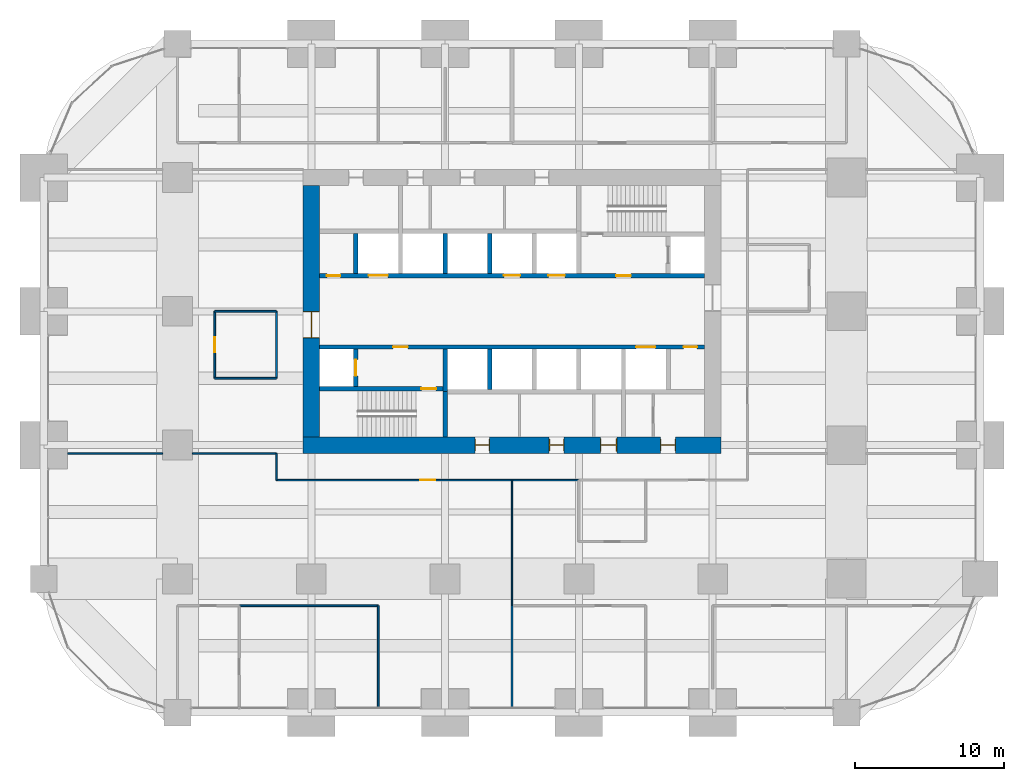
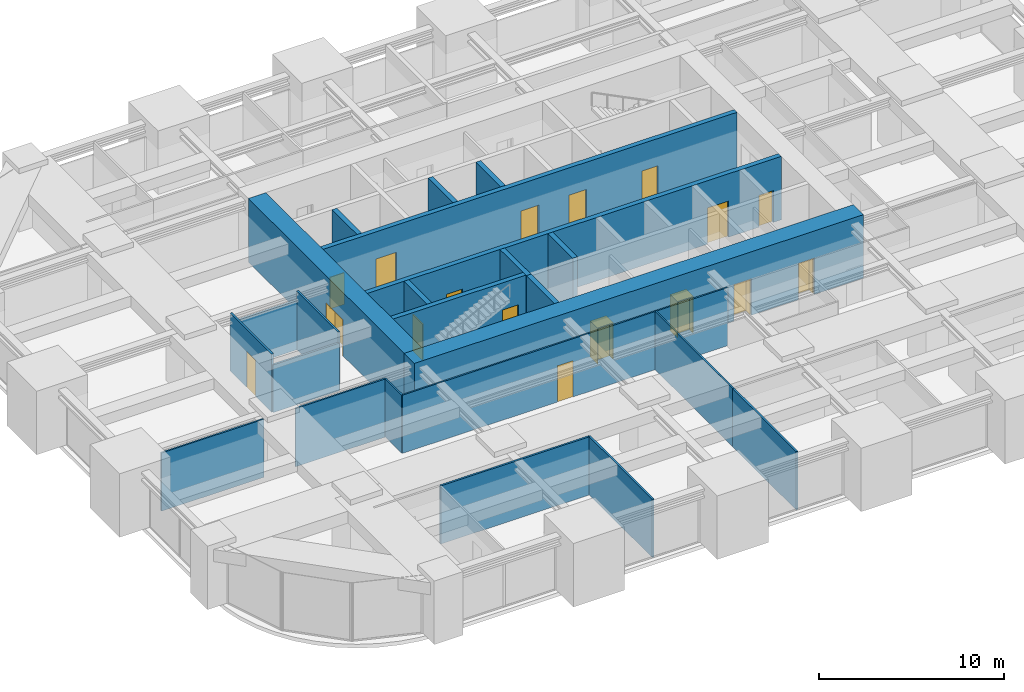
# One storey, part 42 of 45: 24 walls, 17 doors, 17 openings.
"""IFC4 building model written with IfcOpenShell, lengths in metres."""

from ifc_helpers import new_model, si_unit, direction, frame, frame_2d, origin, place, context, subcontext, project, spatial, rectangle, extrude, material, layer, layer_set, type_object, element, fill, save


model = new_model("IFC4")

# Units and contexts
model_context = context("Model", 3, precision=1e-05, world=origin(), true_north=direction((0.0, 1.0)))
body_context = subcontext(model_context, "Body", "Model", "MODEL_VIEW")
ifc_project = project(units=[si_unit("LENGTHUNIT", "METRE"), si_unit("AREAUNIT", "SQUARE_METRE"), si_unit("VOLUMEUNIT", "CUBIC_METRE"), si_unit("PLANEANGLEUNIT", "RADIAN"), si_unit("MASSUNIT", "GRAM", prefix="KILO")], contexts=[model_context])

# Site, building, storey
site_placement = place(None, origin())
site = spatial("IfcSite", under=ifc_project, at=site_placement, CompositionType="ELEMENT")
building_placement = place(site_placement, origin())
building = spatial("IfcBuilding", under=site, at=building_placement, Name="Zorevar Civic Tower", CompositionType="ELEMENT")
storey_placement = place(building_placement, frame((0.0, 0.0, 153.0)))
storey = spatial("IfcBuildingStorey", under=building, at=storey_placement, Name="L37", CompositionType="ELEMENT", Elevation=153.0)

# Wall, openings, doors
ifc_material_1 = material(Name="Concrete C50/60", Category="concrete")
ifc_layer_1 = layer(ifc_material_1, 1.10009765625)
ifc_layer_set_1 = layer_set([ifc_layer_1], Name="Core wall 1100")
wall_type_1 = type_object("IfcWallType", Name="Core wall 1100", PredefinedType="SHEAR", material=ifc_layer_set_1)
wall_1_placement = place(storey_placement, frame((17.449951171875, 18.0, 0.0), z_axis=(0.0, 0.0, 1.0), x_axis=(1.0, 0.0, 0.0)))
wall_1 = element("IfcWall", 1, at=wall_1_placement, inside=storey, type_object=wall_type_1, Name="Core wall S L37", PredefinedType="SHEAR", context=body_context, shape_type="SweptSolid", body=[
    extrude(rectangle(XDim=28.10009765625, YDim=1.10009765625, at=frame_2d((14.050048828125, 0.0))), origin(), (0.0, 0.0, 1.0), 4.199951171875),
])
opening_1_placement = place(wall_1_placement, frame((11.550048828125, 0.0, 0.0)))
opening_1 = element("IfcOpeningElement", 2, at=opening_1_placement, cuts=wall_1, Name="Opening L37.03", PredefinedType="OPENING", context=body_context, shape_type="SweptSolid", body=[
    extrude(rectangle(XDim=1.0, YDim=2.39990234375, at=frame_2d((0.5, 1.199951171875))), frame((0.0, 0.56005859375, 0.0), z_axis=(0.0, -1.0, 0.0), x_axis=(1.0, 0.0, 0.0)), (0.0, 0.0, 1.0), 1.1201171875),
])
opening_2_placement = place(wall_1_placement, frame((16.550048828125, 0.0, 0.0)))
opening_2 = element("IfcOpeningElement", 3, at=opening_2_placement, cuts=wall_1, Name="Opening L37.04", PredefinedType="OPENING", context=body_context, shape_type="SweptSolid", body=[
    extrude(rectangle(XDim=1.0, YDim=2.39990234375, at=frame_2d((0.5, 1.199951171875))), frame((0.0, 0.56005859375, 0.0), z_axis=(0.0, -1.0, 0.0), x_axis=(1.0, 0.0, 0.0)), (0.0, 0.0, 1.0), 1.1201171875),
])
opening_3_placement = place(wall_1_placement, frame((20.0, 0.0, 0.0)))
opening_3 = element("IfcOpeningElement", 4, at=opening_3_placement, cuts=wall_1, Name="Opening L37.05", PredefinedType="OPENING", context=body_context, shape_type="SweptSolid", body=[
    extrude(rectangle(XDim=1.10009765625, YDim=2.39990234375, at=frame_2d((0.550048828125, 1.199951171875))), frame((0.0, 0.56005859375, 0.0), z_axis=(0.0, -1.0, 0.0), x_axis=(1.0, 0.0, 0.0)), (0.0, 0.0, 1.0), 1.1201171875),
])
opening_4_placement = place(wall_1_placement, frame((24.050048828125, 0.0, 0.0)))
opening_4 = element("IfcOpeningElement", 5, at=opening_4_placement, cuts=wall_1, Name="Opening L37.06", PredefinedType="OPENING", context=body_context, shape_type="SweptSolid", body=[
    extrude(rectangle(XDim=1.0, YDim=2.39990234375, at=frame_2d((0.5, 1.199951171875))), frame((0.0, 0.56005859375, 0.0), z_axis=(0.0, -1.0, 0.0), x_axis=(1.0, 0.0, 0.0)), (0.0, 0.0, 1.0), 1.1201171875),
])
ifc_material_2 = material(Name="Timber door set", Category="wood")
door_type_1 = type_object("IfcDoorType", Name="Door D1 1000x2400", OperationType="SINGLE_SWING_LEFT", PredefinedType="DOOR", material=ifc_material_2)
door_1_placement = place(opening_1_placement, origin())
door_1 = element("IfcDoor", 6, at=door_1_placement, inside=storey, type_object=door_type_1, Name="Door L37 02", OperationType="SINGLE_SWING_RIGHT", OverallHeight=2.39990234375, OverallWidth=1.0, PredefinedType="DOOR", context=body_context, shape_type="SweptSolid", body=[
    extrude(rectangle(XDim=1.0, YDim=2.39990234375, at=frame_2d((0.5, 1.199951171875))), frame((0.0, 0.02490234375, 0.0), z_axis=(0.0, -1.0, 0.0), x_axis=(1.0, 0.0, 0.0)), (0.0, 0.0, 1.0), 0.050048828125),
    extrude(rectangle(XDim=0.04, YDim=2.39990234375, at=frame_2d((0.02001953125, 1.199951171875))), frame((0.0, 0.39990234375, 0.0), z_axis=(0.0, -1.0, 0.0), x_axis=(1.0, 0.0, 0.0)), (0.0, 0.0, 1.0), 0.800048828125),
    extrude(rectangle(XDim=0.04, YDim=2.39990234375, at=frame_2d((0.97998046875, 1.199951171875))), frame((0.0, 0.39990234375, 0.0), z_axis=(0.0, -1.0, 0.0), x_axis=(1.0, 0.0, 0.0)), (0.0, 0.0, 1.0), 0.800048828125),
    extrude(rectangle(XDim=1.0, YDim=0.04, at=frame_2d((0.5, 2.3798828125))), frame((0.0, 0.39990234375, 0.0), z_axis=(0.0, -1.0, 0.0), x_axis=(1.0, 0.0, 0.0)), (0.0, 0.0, 1.0), 0.800048828125),
])
fill(opening_1, door_1)
door_2_placement = place(opening_2_placement, origin())
door_2 = element("IfcDoor", 7, at=door_2_placement, inside=storey, type_object=door_type_1, Name="Door L37 03", OperationType="SINGLE_SWING_LEFT", OverallHeight=2.39990234375, OverallWidth=1.0, PredefinedType="DOOR", context=body_context, shape_type="SweptSolid", body=[
    extrude(rectangle(XDim=1.0, YDim=2.39990234375, at=frame_2d((0.5, 1.199951171875))), frame((0.0, 0.02490234375, 0.0), z_axis=(0.0, -1.0, 0.0), x_axis=(1.0, 0.0, 0.0)), (0.0, 0.0, 1.0), 0.050048828125),
    extrude(rectangle(XDim=0.04, YDim=2.39990234375, at=frame_2d((0.02001953125, 1.199951171875))), frame((0.0, 0.39990234375, 0.0), z_axis=(0.0, -1.0, 0.0), x_axis=(1.0, 0.0, 0.0)), (0.0, 0.0, 1.0), 0.800048828125),
    extrude(rectangle(XDim=0.04, YDim=2.39990234375, at=frame_2d((0.97998046875, 1.199951171875))), frame((0.0, 0.39990234375, 0.0), z_axis=(0.0, -1.0, 0.0), x_axis=(1.0, 0.0, 0.0)), (0.0, 0.0, 1.0), 0.800048828125),
    extrude(rectangle(XDim=1.0, YDim=0.04, at=frame_2d((0.5, 2.3798828125))), frame((0.0, 0.39990234375, 0.0), z_axis=(0.0, -1.0, 0.0), x_axis=(1.0, 0.0, 0.0)), (0.0, 0.0, 1.0), 0.800048828125),
])
fill(opening_2, door_2)
door_3_placement = place(opening_4_placement, origin())
door_3 = element("IfcDoor", 8, at=door_3_placement, inside=storey, type_object=door_type_1, Name="Door L37 05", OperationType="SINGLE_SWING_LEFT", OverallHeight=2.39990234375, OverallWidth=1.0, PredefinedType="DOOR", context=body_context, shape_type="SweptSolid", body=[
    extrude(rectangle(XDim=1.0, YDim=2.39990234375, at=frame_2d((0.5, 1.199951171875))), frame((0.0, 0.02490234375, 0.0), z_axis=(0.0, -1.0, 0.0), x_axis=(1.0, 0.0, 0.0)), (0.0, 0.0, 1.0), 0.050048828125),
    extrude(rectangle(XDim=0.04, YDim=2.39990234375, at=frame_2d((0.02001953125, 1.199951171875))), frame((0.0, 0.39990234375, 0.0), z_axis=(0.0, -1.0, 0.0), x_axis=(1.0, 0.0, 0.0)), (0.0, 0.0, 1.0), 0.800048828125),
    extrude(rectangle(XDim=0.04, YDim=2.39990234375, at=frame_2d((0.97998046875, 1.199951171875))), frame((0.0, 0.39990234375, 0.0), z_axis=(0.0, -1.0, 0.0), x_axis=(1.0, 0.0, 0.0)), (0.0, 0.0, 1.0), 0.800048828125),
    extrude(rectangle(XDim=1.0, YDim=0.04, at=frame_2d((0.5, 2.3798828125))), frame((0.0, 0.39990234375, 0.0), z_axis=(0.0, -1.0, 0.0), x_axis=(1.0, 0.0, 0.0)), (0.0, 0.0, 1.0), 0.800048828125),
])
fill(opening_4, door_3)
ifc_material_3 = material(Name="Timber door set", Category="wood")
door_type_2 = type_object("IfcDoorType", Name="Door D5 1100x2400", OperationType="SINGLE_SWING_LEFT", PredefinedType="DOOR", material=ifc_material_3)
door_4_placement = place(opening_3_placement, origin())
door_4 = element("IfcDoor", 9, at=door_4_placement, inside=storey, type_object=door_type_2, Name="Door L37 04", OperationType="SINGLE_SWING_LEFT", OverallHeight=2.39990234375, OverallWidth=1.10009765625, PredefinedType="DOOR", context=body_context, shape_type="SweptSolid", body=[
    extrude(rectangle(XDim=1.10009765625, YDim=2.39990234375, at=frame_2d((0.550048828125, 1.199951171875))), frame((0.0, 0.02490234375, 0.0), z_axis=(0.0, -1.0, 0.0), x_axis=(1.0, 0.0, 0.0)), (0.0, 0.0, 1.0), 0.050048828125),
    extrude(rectangle(XDim=0.04, YDim=2.39990234375, at=frame_2d((0.02001953125, 1.199951171875))), frame((0.0, 0.43994140625, 0.0), z_axis=(0.0, -1.0, 0.0), x_axis=(1.0, 0.0, 0.0)), (0.0, 0.0, 1.0), 0.880126953125),
    extrude(rectangle(XDim=0.04, YDim=2.39990234375, at=frame_2d((1.080078125, 1.199951171875))), frame((0.0, 0.43994140625, 0.0), z_axis=(0.0, -1.0, 0.0), x_axis=(1.0, 0.0, 0.0)), (0.0, 0.0, 1.0), 0.880126953125),
    extrude(rectangle(XDim=1.10009765625, YDim=0.04, at=frame_2d((0.550048828125, 2.3798828125))), frame((0.0, 0.43994140625, 0.0), z_axis=(0.0, -1.0, 0.0), x_axis=(1.0, 0.0, 0.0)), (0.0, 0.0, 1.0), 0.880126953125),
])
fill(opening_3, door_4)

# Wall, opening, door
wall_2_placement = place(storey_placement, frame((18.0, 35.449951171875, 0.0), z_axis=(0.0, 0.0, 1.0), x_axis=(0.0, -1.0, 0.0)))
wall_2 = element("IfcWall", 10, at=wall_2_placement, inside=storey, type_object=wall_type_1, Name="Core wall W L37", PredefinedType="SHEAR", context=body_context, shape_type="SweptSolid", body=[
    extrude(rectangle(XDim=16.89990234375, YDim=1.10009765625, at=frame_2d((8.449951171875, 0.0))), origin(), (0.0, 0.0, 1.0), 4.199951171875),
])
opening_5_placement = place(wall_2_placement, frame((8.449951171875, 0.0, 0.0)))
opening_5 = element("IfcOpeningElement", 11, at=opening_5_placement, cuts=wall_2, Name="Opening L37.01", PredefinedType="OPENING", context=body_context, shape_type="SweptSolid", body=[
    extrude(rectangle(XDim=1.800048828125, YDim=2.39990234375, at=frame_2d((0.89990234375, 1.199951171875))), frame((0.0, 0.56005859375, 0.0), z_axis=(0.0, -1.0, 0.0), x_axis=(1.0, 0.0, 0.0)), (0.0, 0.0, 1.0), 1.1201171875),
])
ifc_material_4 = material(Name="Steel door set", Category="steel")
door_type_3 = type_object("IfcDoorType", Name="Fire door FD2 1800x2400", OperationType="DOUBLE_DOOR_DOUBLE_SWING", PredefinedType="DOOR", material=ifc_material_4)
door_5_placement = place(opening_5_placement, origin())
door_5 = element("IfcDoor", 12, at=door_5_placement, inside=storey, type_object=door_type_3, Name="Door L37 00", OperationType="DOUBLE_DOOR_DOUBLE_SWING", OverallHeight=2.39990234375, OverallWidth=1.800048828125, PredefinedType="DOOR", context=body_context, shape_type="SweptSolid", body=[
    extrude(rectangle(XDim=1.800048828125, YDim=2.39990234375, at=frame_2d((0.89990234375, 1.199951171875))), frame((0.0, 0.030029296875, 0.0), z_axis=(0.0, -1.0, 0.0), x_axis=(1.0, 0.0, 0.0)), (0.0, 0.0, 1.0), 0.06005859375),
    extrude(rectangle(XDim=0.04, YDim=2.39990234375, at=frame_2d((0.02001953125, 1.199951171875))), frame((0.0, 0.5498046875, 0.0), z_axis=(0.0, -1.0, 0.0), x_axis=(1.0, 0.0, 0.0)), (0.0, 0.0, 1.0), 1.099609375),
    extrude(rectangle(XDim=0.04, YDim=2.39990234375, at=frame_2d((1.780029296875, 1.199951171875))), frame((0.0, 0.5498046875, 0.0), z_axis=(0.0, -1.0, 0.0), x_axis=(1.0, 0.0, 0.0)), (0.0, 0.0, 1.0), 1.099609375),
    extrude(rectangle(XDim=1.800048828125, YDim=0.04, at=frame_2d((0.89990234375, 2.3798828125))), frame((0.0, 0.5498046875, 0.0), z_axis=(0.0, -1.0, 0.0), x_axis=(1.0, 0.0, 0.0)), (0.0, 0.0, 1.0), 1.099609375),
])
fill(opening_5, door_5)

ifc_material_5 = material(Name="Laminated glass in black aluminium frame", Category="aluminium")
ifc_layer_2 = layer(ifc_material_5, 0.10009765625)
ifc_layer_set_2 = layer_set([ifc_layer_2], Name="Glazed partition 100")
wall_type_2 = type_object("IfcWallType", Name="Glazed partition 100", PredefinedType="PARTITIONING", material=ifc_layer_set_2)
wall_3_placement = place(storey_placement, frame((15.64990234375, 15.64990234375, 0.0), z_axis=(0.0, 0.0, 1.0), x_axis=(1.0, 0.0, 0.0)))
wall_3 = element("IfcWall", 13, at=wall_3_placement, inside=storey, type_object=wall_type_2, Name="Glazed partition 100 L37", PredefinedType="PARTITIONING", context=body_context, shape_type="SweptSolid", body=[
    extrude(rectangle(XDim=20.35009765625, YDim=0.10009765625, at=frame_2d((10.175048828125, 0.0))), origin(), (0.0, 0.0, 1.0), 3.85009765625),
])
opening_6_placement = place(wall_3_placement, frame((9.675048828125, 0.0, 0.0)))
opening_6 = element("IfcOpeningElement", 14, at=opening_6_placement, cuts=wall_3, Name="Opening L37.22", PredefinedType="OPENING", context=body_context, shape_type="SweptSolid", body=[
    extrude(rectangle(XDim=1.0, YDim=2.39990234375, at=frame_2d((0.5, 1.199951171875))), frame((0.0, 0.06005859375, 0.0), z_axis=(0.0, -1.0, 0.0), x_axis=(1.0, 0.0, 0.0)), (0.0, 0.0, 1.0), 0.1201171875),
])
ifc_material_6 = material(Name="Timber door set", Category="wood")
door_type_4 = type_object("IfcDoorType", Name="Glazed door GD1 1000x2400", OperationType="SINGLE_SWING_LEFT", PredefinedType="DOOR", material=ifc_material_6)
door_6_placement = place(opening_6_placement, origin())
door_6 = element("IfcDoor", 15, at=door_6_placement, inside=storey, type_object=door_type_4, Name="Door L37 D1", OperationType="SINGLE_SWING_RIGHT", OverallHeight=2.39990234375, OverallWidth=1.0, PredefinedType="DOOR", context=body_context, shape_type="SweptSolid", body=[
    extrude(rectangle(XDim=1.0, YDim=2.39990234375, at=frame_2d((0.5, 1.199951171875))), frame((0.0, 0.02001953125, 0.0), z_axis=(0.0, -1.0, 0.0), x_axis=(1.0, 0.0, 0.0)), (0.0, 0.0, 1.0), 0.0400390625),
])
fill(opening_6, door_6)

# Walls
wall_4_placement = place(storey_placement, frame((1.60009765625, 17.449951171875, 0.0), z_axis=(0.0, 0.0, 1.0), x_axis=(1.0, 0.0, 0.0)))
element("IfcWall", 16, at=wall_4_placement, inside=storey, type_object=wall_type_2, Name="Glazed partition 100 L37", PredefinedType="PARTITIONING", context=body_context, shape_type="SweptSolid", body=[
    extrude(rectangle(XDim=6.39990234375, YDim=0.10009765625, at=frame_2d((3.199951171875, 0.0))), origin(), (0.0, 0.0, 1.0), 3.85009765625),
])
wall_5_placement = place(storey_placement, frame((10.0, 17.449951171875, 0.0), z_axis=(0.0, 0.0, 1.0), x_axis=(1.0, 0.0, 0.0)))
element("IfcWall", 17, at=wall_5_placement, inside=storey, type_object=wall_type_2, Name="Glazed partition 100 L37", PredefinedType="PARTITIONING", context=body_context, shape_type="SweptSolid", body=[
    extrude(rectangle(XDim=5.64990234375, YDim=0.10009765625, at=frame_2d((2.824951171875, 0.0))), origin(), (0.0, 0.0, 1.0), 3.85009765625),
])
wall_6_placement = place(storey_placement, frame((15.64990234375, 15.64990234375, 0.0), z_axis=(0.0, 0.0, 1.0), x_axis=(0.0, 1.0, 0.0)))
element("IfcWall", 18, at=wall_6_placement, inside=storey, type_object=wall_type_2, Name="Glazed partition 100 L37", PredefinedType="PARTITIONING", context=body_context, shape_type="SweptSolid", body=[
    extrude(rectangle(XDim=1.800048828125, YDim=0.10009765625, at=frame_2d((0.89990234375, 0.0))), origin(), (0.0, 0.0, 1.0), 3.85009765625),
])
wall_7_placement = place(storey_placement, frame((31.5, 7.199951171875, 0.0), z_axis=(0.0, 0.0, 1.0), x_axis=(0.0, 1.0, 0.0)))
element("IfcWall", 19, at=wall_7_placement, inside=storey, type_object=wall_type_2, Name="Glazed partition 100 L37", PredefinedType="PARTITIONING", context=body_context, shape_type="SweptSolid", body=[
    extrude(rectangle(XDim=8.449951171875, YDim=0.10009765625, at=frame_2d((4.22509765625, 0.0))), origin(), (0.0, 0.0, 1.0), 3.85009765625),
])

# Wall, opening, door
ifc_material_7 = material(Name="Concrete C40/50", Category="concrete")
ifc_layer_3 = layer(ifc_material_7, 0.300048828125)
ifc_layer_set_3 = layer_set([ifc_layer_3], Name="Inner core wall 300")
wall_type_3 = type_object("IfcWallType", Name="Inner core wall 300", PredefinedType="SHEAR", material=ifc_layer_set_3)
wall_8_placement = place(storey_placement, frame((18.550048828125, 21.800048828125, 0.0), z_axis=(0.0, 0.0, 1.0), x_axis=(1.0, 0.0, 0.0)))
wall_8 = element("IfcWall", 20, at=wall_8_placement, inside=storey, type_object=wall_type_3, Name="Inner core wall S00 L37", PredefinedType="SHEAR", context=body_context, shape_type="SweptSolid", body=[
    extrude(rectangle(XDim=8.300048828125, YDim=0.300048828125, at=frame_2d((4.14990234375, 0.0))), origin(), (0.0, 0.0, 1.0), 4.199951171875),
])
opening_7_placement = place(wall_8_placement, frame((6.85009765625, 0.0, 0.0)))
opening_7 = element("IfcOpeningElement", 21, at=opening_7_placement, cuts=wall_8, Name="Opening L37.11", PredefinedType="OPENING", context=body_context, shape_type="SweptSolid", body=[
    extrude(rectangle(XDim=1.0, YDim=2.39990234375, at=frame_2d((0.5, 1.199951171875))), frame((0.0, 0.159912109375, 0.0), z_axis=(0.0, -1.0, 0.0), x_axis=(1.0, 0.0, 0.0)), (0.0, 0.0, 1.0), 0.320068359375),
])
ifc_material_8 = material(Name="Steel door set", Category="steel")
door_type_5 = type_object("IfcDoorType", Name="Fire door FD1 1000x2400", OperationType="SINGLE_SWING_LEFT", PredefinedType="DOOR", material=ifc_material_8)
door_7_placement = place(opening_7_placement, origin())
door_7 = element("IfcDoor", 22, at=door_7_placement, inside=storey, type_object=door_type_5, Name="Door L37 10", OperationType="SINGLE_SWING_RIGHT", OverallHeight=2.39990234375, OverallWidth=1.0, PredefinedType="DOOR", context=body_context, shape_type="SweptSolid", body=[
    extrude(rectangle(XDim=1.0, YDim=2.39990234375, at=frame_2d((0.5, 1.199951171875))), frame((0.0, 0.030029296875, 0.0), z_axis=(0.0, -1.0, 0.0), x_axis=(1.0, 0.0, 0.0)), (0.0, 0.0, 1.0), 0.06005859375),
])
fill(opening_7, door_7)

# Wall
wall_9_placement = place(storey_placement, frame((27.0, 18.550048828125, 0.0), z_axis=(0.0, 0.0, 1.0), x_axis=(0.0, 1.0, 0.0)))
element("IfcWall", 23, at=wall_9_placement, inside=storey, type_object=wall_type_3, Name="Inner core wall S01 L37", PredefinedType="SHEAR", context=body_context, shape_type="SweptSolid", body=[
    extrude(rectangle(XDim=3.050048828125, YDim=0.300048828125, at=frame_2d((1.52490234375, 0.0))), origin(), (0.0, 0.0, 1.0), 4.199951171875),
])

# Wall, opening, door
wall_10_placement = place(storey_placement, frame((21.0, 21.949951171875, 0.0), z_axis=(0.0, 0.0, 1.0), x_axis=(0.0, 1.0, 0.0)))
wall_10 = element("IfcWall", 24, at=wall_10_placement, inside=storey, type_object=wall_type_3, Name="Inner core wall S02 L37", PredefinedType="SHEAR", context=body_context, shape_type="SweptSolid", body=[
    extrude(rectangle(XDim=2.5, YDim=0.300048828125, at=frame_2d((1.25, 0.0))), origin(), (0.0, 0.0, 1.0), 4.199951171875),
])
opening_8_placement = place(wall_10_placement, frame((0.699951171875, 0.0, 0.0)))
opening_8 = element("IfcOpeningElement", 25, at=opening_8_placement, cuts=wall_10, Name="Opening L37.FL1", PredefinedType="OPENING", context=body_context, shape_type="SweptSolid", body=[
    extrude(rectangle(XDim=1.10009765625, YDim=2.39990234375, at=frame_2d((0.550048828125, 1.199951171875))), frame((0.0, 0.159912109375, 0.0), z_axis=(0.0, -1.0, 0.0), x_axis=(1.0, 0.0, 0.0)), (0.0, 0.0, 1.0), 0.320068359375),
])
ifc_material_9 = material(Name="Steel door set", Category="steel")
door_type_6 = type_object("IfcDoorType", Name="Firefighting lift landing door LD3 1100x2400", OperationType="DOUBLE_DOOR_SLIDING", PredefinedType="DOOR", material=ifc_material_9)
door_8_placement = place(opening_8_placement, origin())
door_8 = element("IfcDoor", 26, at=door_8_placement, inside=storey, type_object=door_type_6, Name="Landing door FL1 L37", OperationType="DOUBLE_DOOR_SLIDING", OverallHeight=2.39990234375, OverallWidth=1.10009765625, PredefinedType="DOOR", context=body_context, shape_type="SweptSolid", body=[
    extrude(rectangle(XDim=1.10009765625, YDim=2.39990234375, at=frame_2d((0.550048828125, 1.199951171875))), frame((0.0, 0.030029296875, 0.0), z_axis=(0.0, -1.0, 0.0), x_axis=(1.0, 0.0, 0.0)), (0.0, 0.0, 1.0), 0.06005859375),
])
fill(opening_8, door_8)

# Wall, openings, doors
wall_11_placement = place(storey_placement, frame((18.550048828125, 24.60009765625, 0.0), z_axis=(0.0, 0.0, 1.0), x_axis=(1.0, 0.0, 0.0)))
wall_11 = element("IfcWall", 27, at=wall_11_placement, inside=storey, type_object=wall_type_3, Name="Inner core wall S03 L37", PredefinedType="SHEAR", context=body_context, shape_type="SweptSolid", body=[
    extrude(rectangle(XDim=25.89990234375, YDim=0.300048828125, at=frame_2d((12.949951171875, 0.0))), origin(), (0.0, 0.0, 1.0), 4.199951171875),
])
opening_9_placement = place(wall_11_placement, frame((4.949951171875, 0.0, 0.0)))
opening_9 = element("IfcOpeningElement", 28, at=opening_9_placement, cuts=wall_11, Name="Opening L37.13", PredefinedType="OPENING", context=body_context, shape_type="SweptSolid", body=[
    extrude(rectangle(XDim=1.0, YDim=2.39990234375, at=frame_2d((0.5, 1.199951171875))), frame((0.0, 0.159912109375, 0.0), z_axis=(0.0, -1.0, 0.0), x_axis=(1.0, 0.0, 0.0)), (0.0, 0.0, 1.0), 0.320068359375),
])
opening_10_placement = place(wall_11_placement, frame((24.5, 0.0, 0.0)))
opening_10 = element("IfcOpeningElement", 29, at=opening_10_placement, cuts=wall_11, Name="Opening L37.15", PredefinedType="OPENING", context=body_context, shape_type="SweptSolid", body=[
    extrude(rectangle(XDim=0.89990234375, YDim=2.10009765625, at=frame_2d((0.449951171875, 1.050048828125))), frame((0.0, 0.159912109375, 0.0), z_axis=(0.0, -1.0, 0.0), x_axis=(1.0, 0.0, 0.0)), (0.0, 0.0, 1.0), 0.320068359375),
])
opening_11_placement = place(wall_11_placement, frame((21.300048828125, 0.0, 0.0)))
opening_11 = element("IfcOpeningElement", 30, at=opening_11_placement, cuts=wall_11, Name="Opening L37.SL1", PredefinedType="OPENING", context=body_context, shape_type="SweptSolid", body=[
    extrude(rectangle(XDim=1.300048828125, YDim=2.39990234375, at=frame_2d((0.64990234375, 1.199951171875))), frame((0.0, 0.159912109375, 0.0), z_axis=(0.0, -1.0, 0.0), x_axis=(1.0, 0.0, 0.0)), (0.0, 0.0, 1.0), 0.320068359375),
])
door_9_placement = place(opening_9_placement, origin())
door_9 = element("IfcDoor", 31, at=door_9_placement, inside=storey, type_object=door_type_5, Name="Door L37 12", OperationType="SINGLE_SWING_RIGHT", OverallHeight=2.39990234375, OverallWidth=1.0, PredefinedType="DOOR", context=body_context, shape_type="SweptSolid", body=[
    extrude(rectangle(XDim=1.0, YDim=2.39990234375, at=frame_2d((0.5, 1.199951171875))), frame((0.0, 0.030029296875, 0.0), z_axis=(0.0, -1.0, 0.0), x_axis=(1.0, 0.0, 0.0)), (0.0, 0.0, 1.0), 0.06005859375),
])
fill(opening_9, door_9)
ifc_material_10 = material(Name="Steel door set", Category="steel")
door_type_7 = type_object("IfcDoorType", Name="Landing door LD2 1300x2400", OperationType="DOUBLE_DOOR_SLIDING", PredefinedType="DOOR", material=ifc_material_10)
door_10_placement = place(opening_11_placement, origin())
door_10 = element("IfcDoor", 32, at=door_10_placement, inside=storey, type_object=door_type_7, Name="Landing door SL1 L37", OperationType="DOUBLE_DOOR_SLIDING", OverallHeight=2.39990234375, OverallWidth=1.300048828125, PredefinedType="DOOR", context=body_context, shape_type="SweptSolid", body=[
    extrude(rectangle(XDim=1.300048828125, YDim=2.39990234375, at=frame_2d((0.64990234375, 1.199951171875))), frame((0.0, 0.02001953125, 0.0), z_axis=(0.0, -1.0, 0.0), x_axis=(1.0, 0.0, 0.0)), (0.0, 0.0, 1.0), 0.0400390625),
])
fill(opening_11, door_10)
ifc_material_11 = material(Name="Steel door set", Category="steel")
door_type_8 = type_object("IfcDoorType", Name="Riser door RD1 900x2100", OperationType="SINGLE_SWING_LEFT", PredefinedType="DOOR", material=ifc_material_11)
door_11_placement = place(opening_10_placement, origin())
door_11 = element("IfcDoor", 33, at=door_11_placement, inside=storey, type_object=door_type_8, Name="Door L37 14", OperationType="SINGLE_SWING_RIGHT", OverallHeight=2.10009765625, OverallWidth=0.89990234375, PredefinedType="DOOR", context=body_context, shape_type="SweptSolid", body=[
    extrude(rectangle(XDim=0.89990234375, YDim=2.10009765625, at=frame_2d((0.449951171875, 1.050048828125))), frame((0.0, 0.030029296875, 0.0), z_axis=(0.0, -1.0, 0.0), x_axis=(1.0, 0.0, 0.0)), (0.0, 0.0, 1.0), 0.06005859375),
])
fill(opening_10, door_11)

wall_12_placement = place(storey_placement, frame((18.550048828125, 29.39990234375, 0.0), z_axis=(0.0, 0.0, 1.0), x_axis=(1.0, 0.0, 0.0)))
wall_12 = element("IfcWall", 34, at=wall_12_placement, inside=storey, type_object=wall_type_3, Name="Inner core wall N03 L37", PredefinedType="SHEAR", context=body_context, shape_type="SweptSolid", body=[
    extrude(rectangle(XDim=25.89990234375, YDim=0.300048828125, at=frame_2d((12.949951171875, 0.0))), origin(), (0.0, 0.0, 1.0), 4.199951171875),
])
opening_12_placement = place(wall_12_placement, frame((19.949951171875, 0.0, 0.0)))
opening_12 = element("IfcOpeningElement", 35, at=opening_12_placement, cuts=wall_12, Name="Opening L37.14", PredefinedType="OPENING", context=body_context, shape_type="SweptSolid", body=[
    extrude(rectangle(XDim=1.0, YDim=2.39990234375, at=frame_2d((0.5, 1.199951171875))), frame((0.0, 0.159912109375, 0.0), z_axis=(0.0, -1.0, 0.0), x_axis=(1.0, 0.0, 0.0)), (0.0, 0.0, 1.0), 0.320068359375),
])
opening_13_placement = place(wall_12_placement, frame((0.5, 0.0, 0.0)))
opening_13 = element("IfcOpeningElement", 36, at=opening_13_placement, cuts=wall_12, Name="Opening L37.16", PredefinedType="OPENING", context=body_context, shape_type="SweptSolid", body=[
    extrude(rectangle(XDim=0.89990234375, YDim=2.10009765625, at=frame_2d((0.449951171875, 1.050048828125))), frame((0.0, 0.159912109375, 0.0), z_axis=(0.0, -1.0, 0.0), x_axis=(1.0, 0.0, 0.0)), (0.0, 0.0, 1.0), 0.320068359375),
])
opening_14_placement = place(wall_12_placement, frame((15.39990234375, 0.0, 0.0)))
opening_14 = element("IfcOpeningElement", 37, at=opening_14_placement, cuts=wall_12, Name="Opening L37.LM1", PredefinedType="OPENING", context=body_context, shape_type="SweptSolid", body=[
    extrude(rectangle(XDim=1.10009765625, YDim=2.39990234375, at=frame_2d((0.550048828125, 1.199951171875))), frame((0.0, 0.159912109375, 0.0), z_axis=(0.0, -1.0, 0.0), x_axis=(1.0, 0.0, 0.0)), (0.0, 0.0, 1.0), 0.320068359375),
])
opening_15_placement = place(wall_12_placement, frame((12.39990234375, 0.0, 0.0)))
opening_15 = element("IfcOpeningElement", 38, at=opening_15_placement, cuts=wall_12, Name="Opening L37.LM2", PredefinedType="OPENING", context=body_context, shape_type="SweptSolid", body=[
    extrude(rectangle(XDim=1.10009765625, YDim=2.39990234375, at=frame_2d((0.550048828125, 1.199951171875))), frame((0.0, 0.159912109375, 0.0), z_axis=(0.0, -1.0, 0.0), x_axis=(1.0, 0.0, 0.0)), (0.0, 0.0, 1.0), 0.320068359375),
])
opening_16_placement = place(wall_12_placement, frame((3.300048828125, 0.0, 0.0)))
opening_16 = element("IfcOpeningElement", 39, at=opening_16_placement, cuts=wall_12, Name="Opening L37.SL2", PredefinedType="OPENING", context=body_context, shape_type="SweptSolid", body=[
    extrude(rectangle(XDim=1.300048828125, YDim=2.39990234375, at=frame_2d((0.64990234375, 1.199951171875))), frame((0.0, 0.159912109375, 0.0), z_axis=(0.0, -1.0, 0.0), x_axis=(1.0, 0.0, 0.0)), (0.0, 0.0, 1.0), 0.320068359375),
])
door_12_placement = place(opening_12_placement, origin())
door_12 = element("IfcDoor", 40, at=door_12_placement, inside=storey, type_object=door_type_5, Name="Door L37 13", OperationType="SINGLE_SWING_RIGHT", OverallHeight=2.39990234375, OverallWidth=1.0, PredefinedType="DOOR", context=body_context, shape_type="SweptSolid", body=[
    extrude(rectangle(XDim=1.0, YDim=2.39990234375, at=frame_2d((0.5, 1.199951171875))), frame((0.0, 0.030029296875, 0.0), z_axis=(0.0, -1.0, 0.0), x_axis=(1.0, 0.0, 0.0)), (0.0, 0.0, 1.0), 0.06005859375),
])
fill(opening_12, door_12)
ifc_material_12 = material(Name="Steel door set", Category="steel")
door_type_9 = type_object("IfcDoorType", Name="Landing door LD1 1100x2400", OperationType="DOUBLE_DOOR_SLIDING", PredefinedType="DOOR", material=ifc_material_12)
door_13_placement = place(opening_14_placement, origin())
door_13 = element("IfcDoor", 41, at=door_13_placement, inside=storey, type_object=door_type_9, Name="Landing door LM1 L37", OperationType="DOUBLE_DOOR_SLIDING", OverallHeight=2.39990234375, OverallWidth=1.10009765625, PredefinedType="DOOR", context=body_context, shape_type="SweptSolid", body=[
    extrude(rectangle(XDim=1.10009765625, YDim=2.39990234375, at=frame_2d((0.550048828125, 1.199951171875))), frame((0.0, 0.02001953125, 0.0), z_axis=(0.0, -1.0, 0.0), x_axis=(1.0, 0.0, 0.0)), (0.0, 0.0, 1.0), 0.0400390625),
])
fill(opening_14, door_13)
door_14_placement = place(opening_15_placement, origin())
door_14 = element("IfcDoor", 42, at=door_14_placement, inside=storey, type_object=door_type_9, Name="Landing door LM2 L37", OperationType="DOUBLE_DOOR_SLIDING", OverallHeight=2.39990234375, OverallWidth=1.10009765625, PredefinedType="DOOR", context=body_context, shape_type="SweptSolid", body=[
    extrude(rectangle(XDim=1.10009765625, YDim=2.39990234375, at=frame_2d((0.550048828125, 1.199951171875))), frame((0.0, 0.02001953125, 0.0), z_axis=(0.0, -1.0, 0.0), x_axis=(1.0, 0.0, 0.0)), (0.0, 0.0, 1.0), 0.0400390625),
])
fill(opening_15, door_14)
door_15_placement = place(opening_16_placement, origin())
door_15 = element("IfcDoor", 43, at=door_15_placement, inside=storey, type_object=door_type_7, Name="Landing door SL2 L37", OperationType="DOUBLE_DOOR_SLIDING", OverallHeight=2.39990234375, OverallWidth=1.300048828125, PredefinedType="DOOR", context=body_context, shape_type="SweptSolid", body=[
    extrude(rectangle(XDim=1.300048828125, YDim=2.39990234375, at=frame_2d((0.64990234375, 1.199951171875))), frame((0.0, 0.02001953125, 0.0), z_axis=(0.0, -1.0, 0.0), x_axis=(1.0, 0.0, 0.0)), (0.0, 0.0, 1.0), 0.0400390625),
])
fill(opening_16, door_15)
door_16_placement = place(opening_13_placement, origin())
door_16 = element("IfcDoor", 44, at=door_16_placement, inside=storey, type_object=door_type_8, Name="Door L37 15", OperationType="SINGLE_SWING_RIGHT", OverallHeight=2.10009765625, OverallWidth=0.89990234375, PredefinedType="DOOR", context=body_context, shape_type="SweptSolid", body=[
    extrude(rectangle(XDim=0.89990234375, YDim=2.10009765625, at=frame_2d((0.449951171875, 1.050048828125))), frame((0.0, 0.030029296875, 0.0), z_axis=(0.0, -1.0, 0.0), x_axis=(1.0, 0.0, 0.0)), (0.0, 0.0, 1.0), 0.06005859375),
])
fill(opening_13, door_16)

# Walls
for number, where, z_axis, x_axis, name in (
    (45, (30.0, 21.75, 0.0), (0.0, 0.0, 1.0), (0.0, 1.0, 0.0), "Inner core wall S05 L37"),
    (46, (30.0, 29.550048828125, 0.0), (0.0, 0.0, 1.0), (0.0, 1.0, 0.0), "Inner core wall N06 L37"),
    (47, (27.0, 29.550048828125, 0.0), (0.0, 0.0, 1.0), (0.0, 1.0, 0.0), "Inner core wall N07 L37"),
    (48, (21.0, 29.550048828125, 0.0), (0.0, 0.0, 1.0), (0.0, 1.0, 0.0), "Inner core wall N09 L37"),
):
    element("IfcWall", number, at=place(storey_placement, frame(where, z_axis=z_axis, x_axis=x_axis)), inside=storey, type_object=wall_type_3, Name=name, PredefinedType="SHEAR", context=body_context, shape_type="SweptSolid", body=[
        extrude(rectangle(XDim=2.699951171875, YDim=0.300048828125, at=frame_2d((1.35009765625, 0.0))), origin(), (0.0, 0.0, 1.0), 4.199951171875),
    ])
wall_13_placement = place(storey_placement, frame((27.0, 21.60009765625, 0.0), z_axis=(0.0, 0.0, 1.0), x_axis=(0.0, 1.0, 0.0)))
element("IfcWall", 49, at=wall_13_placement, inside=storey, type_object=wall_type_3, Name="Inner core wall S10 L37", PredefinedType="SHEAR", context=body_context, shape_type="SweptSolid", body=[
    extrude(rectangle(XDim=2.849853515625, YDim=0.300048828125, at=frame_2d((1.4248046875, 0.0))), origin(), (0.0, 0.0, 1.0), 4.199951171875),
])
ifc_material_13 = material(Name="Gypsum board on steel studs", Category="steel")
ifc_layer_4 = layer(ifc_material_13, 0.1201171875)
ifc_layer_set_4 = layer_set([ifc_layer_4], Name="Partition 120")
wall_type_4 = type_object("IfcWallType", Name="Partition 120", PredefinedType="PARTITIONING", material=ifc_layer_set_4)
wall_14_placement = place(storey_placement, frame((13.14990234375, 7.199951171875, 0.0), z_axis=(0.0, 0.0, 1.0), x_axis=(1.0, 0.0, 0.0)))
element("IfcWall", 50, at=wall_14_placement, inside=storey, type_object=wall_type_4, Name="Partition 120 L37", PredefinedType="PARTITIONING", context=body_context, shape_type="SweptSolid", body=[
    extrude(rectangle(XDim=9.35009765625, YDim=0.1201171875, at=frame_2d((4.675048828125, 0.0))), origin(), (0.0, 0.0, 1.0), 3.85009765625),
])
wall_15_placement = place(storey_placement, frame((11.5, 22.5, 0.0), z_axis=(0.0, 0.0, 1.0), x_axis=(1.0, 0.0, 0.0)))
element("IfcWall", 51, at=wall_15_placement, inside=storey, type_object=wall_type_4, Name="Partition 120 L37", PredefinedType="PARTITIONING", context=body_context, shape_type="SweptSolid", body=[
    extrude(rectangle(XDim=4.14990234375, YDim=0.1201171875, at=frame_2d((2.074951171875, 0.0))), origin(), (0.0, 0.0, 1.0), 3.14990234375),
])
wall_16_placement = place(storey_placement, frame((11.5, 27.0, 0.0), z_axis=(0.0, 0.0, 1.0), x_axis=(1.0, 0.0, 0.0)))
element("IfcWall", 52, at=wall_16_placement, inside=storey, type_object=wall_type_4, Name="Partition 120 L37", PredefinedType="PARTITIONING", context=body_context, shape_type="SweptSolid", body=[
    extrude(rectangle(XDim=4.14990234375, YDim=0.1201171875, at=frame_2d((2.074951171875, 0.0))), origin(), (0.0, 0.0, 1.0), 3.25),
])

# Wall, opening, door
wall_17_placement = place(storey_placement, frame((11.5, 22.5, 0.0), z_axis=(0.0, 0.0, 1.0), x_axis=(0.0, 1.0, 0.0)))
wall_17 = element("IfcWall", 53, at=wall_17_placement, inside=storey, type_object=wall_type_4, Name="Partition 120 L37", PredefinedType="PARTITIONING", context=body_context, shape_type="SweptSolid", body=[
    extrude(rectangle(XDim=4.5, YDim=0.1201171875, at=frame_2d((2.25, 0.0))), origin(), (0.0, 0.0, 1.0), 3.85009765625),
])
opening_17_placement = place(wall_17_placement, frame((1.75, 0.0, 0.0)))
opening_17 = element("IfcOpeningElement", 54, at=opening_17_placement, cuts=wall_17, Name="Opening L37.29", PredefinedType="OPENING", context=body_context, shape_type="SweptSolid", body=[
    extrude(rectangle(XDim=1.0, YDim=2.39990234375, at=frame_2d((0.5, 1.199951171875))), frame((0.0, 0.070068359375, 0.0), z_axis=(0.0, -1.0, 0.0), x_axis=(1.0, 0.0, 0.0)), (0.0, 0.0, 1.0), 0.14013671875),
])
door_17_placement = place(opening_17_placement, origin())
door_17 = element("IfcDoor", 55, at=door_17_placement, inside=storey, type_object=door_type_1, Name="Door L37 D1", OperationType="SINGLE_SWING_RIGHT", OverallHeight=2.39990234375, OverallWidth=1.0, PredefinedType="DOOR", context=body_context, shape_type="SweptSolid", body=[
    extrude(rectangle(XDim=1.0, YDim=2.39990234375, at=frame_2d((0.5, 1.199951171875))), frame((0.0, 0.02490234375, 0.0), z_axis=(0.0, -1.0, 0.0), x_axis=(1.0, 0.0, 0.0)), (0.0, 0.0, 1.0), 0.050048828125),
])
fill(opening_17, door_17)

# Walls
wall_18_placement = place(storey_placement, frame((15.64990234375, 22.5, 0.0), z_axis=(0.0, 0.0, 1.0), x_axis=(0.0, 1.0, 0.0)))
element("IfcWall", 56, at=wall_18_placement, inside=storey, type_object=wall_type_4, Name="Partition 120 L37", PredefinedType="PARTITIONING", context=body_context, shape_type="SweptSolid", body=[
    extrude(rectangle(XDim=4.5, YDim=0.1201171875, at=frame_2d((2.25, 0.0))), origin(), (0.0, 0.0, 1.0), 3.85009765625),
])
for number, where, z_axis, x_axis, name in (
    (57, (22.5, 0.31005859375, 0.0), (0.0, 0.0, 1.0), (0.0, 1.0, 0.0), "Partition 120 L37"),
    (58, (31.5, 0.31005859375, 0.0), (0.0, 0.0, 1.0), (0.0, 1.0, 0.0), "Partition 120 L37"),
):
    element("IfcWall", number, at=place(storey_placement, frame(where, z_axis=z_axis, x_axis=x_axis)), inside=storey, type_object=wall_type_4, Name=name, PredefinedType="PARTITIONING", context=body_context, shape_type="SweptSolid", body=[
        extrude(rectangle(XDim=6.889892578125, YDim=0.1201171875, at=frame_2d((3.44482421875, 0.0))), origin(), (0.0, 0.0, 1.0), 3.85009765625),
    ])

save(model, "model.ifc")
